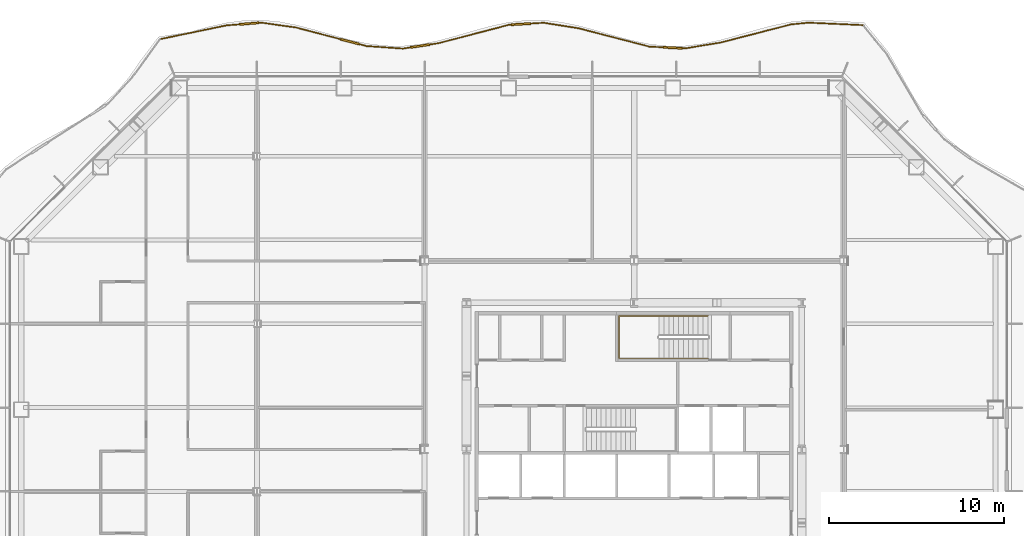
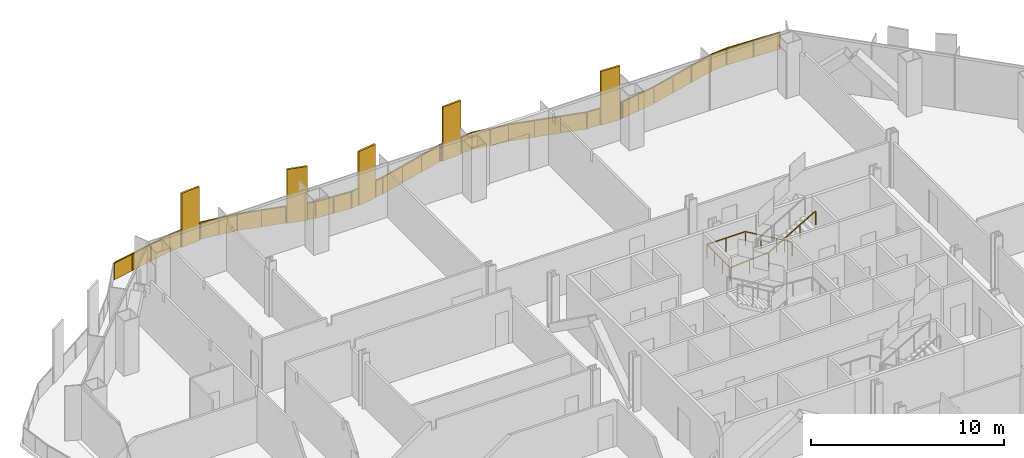
# One storey, part 16 of 17: 2 railings.
"""IFC4 building model written with IfcOpenShell, lengths in metres."""

from ifc_helpers import new_model, si_unit, direction, frame, origin, origin_2d, place, context, subcontext, project, spatial, polyline, rectangle, outline, extrude, material, type_object, element, save


model = new_model("IFC4")

# Units and contexts
model_context = context("Model", 3, precision=1e-05, world=origin(), true_north=direction((0.0, 1.0)))
body_context = subcontext(model_context, "Body", "Model", "MODEL_VIEW")
ifc_project = project(units=[si_unit("LENGTHUNIT", "METRE"), si_unit("AREAUNIT", "SQUARE_METRE"), si_unit("VOLUMEUNIT", "CUBIC_METRE"), si_unit("PLANEANGLEUNIT", "RADIAN"), si_unit("MASSUNIT", "GRAM", prefix="KILO")], contexts=[model_context])

# Site, building, storey
site_placement = place(None, origin())
site = spatial("IfcSite", under=ifc_project, at=site_placement, CompositionType="ELEMENT")
building_placement = place(site_placement, origin())
building = spatial("IfcBuilding", under=site, at=building_placement, Name="Cairn Pilgrim Tower", CompositionType="ELEMENT")
storey_placement = place(building_placement, frame((0.0, 0.0, 79.800048828125)))
storey = spatial("IfcBuildingStorey", under=building, at=storey_placement, Name="L18", CompositionType="ELEMENT", Elevation=79.800048828125)

# Railings
ifc_material_1 = material(Name="Bronze anodised aluminium rail, posts and fin screens with laminated glass infill", Category="aluminium")
railing_type_1 = type_object("IfcRailingType", Name="BALCONY GUARD WITH FIN SCREENS", PredefinedType="GUARDRAIL", material=ifc_material_1)
railing_1_placement = place(storey_placement, frame((20.306396484375, 26.70166015625, 0.0)))
element("IfcRailing", 1, at=railing_1_placement, inside=storey, type_object=railing_type_1, Name="Balcony guard BGF-5 with fin screens", PredefinedType="GUARDRAIL", context=body_context, shape_type="SweptSolid", body=[
    extrude(rectangle(XDim=0.050048828125, YDim=0.050048828125, at=origin_2d()), frame((0.0, 0.0, 1.0751953125), z_axis=(-0.998998429321, 0.044745259126, 0.0), x_axis=(-0.044745259126, -0.998998429321, 0.0)), (0.0, 0.0, 1.0), 3.12646484375),
    extrude(rectangle(XDim=0.050048828125, YDim=0.050048828125, at=origin_2d()), frame((-3.123291015625, 0.139892578125, 1.0751953125), z_axis=(-0.99513163978, -0.098554652396, 0.0), x_axis=(0.098554652396, -0.99513163978, 0.0)), (0.0, 0.0, 1.0), 0.993408203125),
    extrude(rectangle(XDim=0.050048828125, YDim=0.050048828125, at=origin_2d()), frame((-4.11181640625, 0.0419921875, 1.0751953125), z_axis=(-0.968441659028, -0.249240351988, 0.0), x_axis=(0.249240351988, -0.968441659028, 0.0)), (0.0, 0.0, 1.0), 4.1689453125),
    extrude(rectangle(XDim=0.050048828125, YDim=0.050048828125, at=origin_2d()), frame((-8.149169921875, -0.9970703125, 1.0751953125), z_axis=(-0.986622344068, -0.163022545023, 0.0), x_axis=(0.163022545023, -0.986622344068, 0.0)), (0.0, 0.0, 1.0), 2.071044921875),
    extrude(rectangle(XDim=1.10009765625, YDim=0.110107421875, at=origin_2d()), frame((-10.891845703125, -1.298828125, 0.0), z_axis=(0.0, 0.0, 1.0), x_axis=(-0.998682361191, 0.051318042112, 0.0)), (0.0, 0.0, 1.0), 3.39990234375),
    extrude(rectangle(XDim=0.050048828125, YDim=0.050048828125, at=origin_2d()), frame((-10.192626953125, -1.334716796875, 1.0751953125), z_axis=(-0.998682361191, 0.051318042112, 0.0), x_axis=(-0.051318042112, -0.998682361191, 0.0)), (0.0, 0.0, 1.0), 0.150146484375),
    extrude(rectangle(XDim=0.050048828125, YDim=0.050048828125, at=origin_2d()), frame((-11.44091796875, -1.2705078125, 1.0751953125), z_axis=(-0.998682361191, 0.051318042112, 0.0), x_axis=(-0.051318042112, -0.998682361191, 0.0)), (0.0, 0.0, 1.0), 0.80517578125),
    extrude(rectangle(XDim=0.050048828125, YDim=0.050048828125, at=origin_2d()), frame((-12.2451171875, -1.229248046875, 1.0751953125), z_axis=(-0.968005298452, 0.250929755446, 0.0), x_axis=(-0.250929755446, -0.968005298452, 0.0)), (0.0, 0.0, 1.0), 4.18359375),
    extrude(rectangle(XDim=0.050048828125, YDim=0.050048828125, at=origin_2d()), frame((-16.294921875, -0.179443359375, 1.0751953125), z_axis=(-0.987835298429, 0.155503772229, 0.0), x_axis=(-0.155503772229, -0.987835298429, 0.0)), (0.0, 0.0, 1.0), 2.022216796875),
    extrude(rectangle(XDim=1.10009765625, YDim=0.110107421875, at=origin_2d()), frame((-19.583984375, 0.056640625, 0.0), z_axis=(0.0, 0.0, 1.0), x_axis=(-0.998168944709, -0.060487666669, 0.0)), (0.0, 0.0, 1.0), 3.39990234375),
    extrude(rectangle(XDim=0.050048828125, YDim=0.050048828125, at=origin_2d()), frame((-18.29248046875, 0.135009765625, 1.0751953125), z_axis=(-0.998168944709, -0.060487666669, 0.0), x_axis=(0.060487666669, -0.998168944709, 0.0)), (0.0, 0.0, 1.0), 0.743896484375),
    extrude(rectangle(XDim=0.050048828125, YDim=0.050048828125, at=origin_2d()), frame((-20.133056640625, 0.0234375, 1.0751953125), z_axis=(-0.998168944709, -0.060487666669, 0.0), x_axis=(0.060487666669, -0.998168944709, 0.0)), (0.0, 0.0, 1.0), 0.14990234375),
    extrude(rectangle(XDim=0.050048828125, YDim=0.050048828125, at=origin_2d()), frame((-20.28271484375, 0.014404296875, 1.0751953125), z_axis=(-0.967605460468, -0.252467171869, 0.0), x_axis=(0.252467171869, -0.967605460468, 0.0)), (0.0, 0.0, 1.0), 4.170654296875),
    extrude(rectangle(XDim=1.10009765625, YDim=0.110107421875, at=origin_2d()), frame((-25.36865234375, -1.1953125, 0.0), z_axis=(0.0, 0.0, 1.0), x_axis=(-0.989032271674, -0.147699578831, 0.0)), (0.0, 0.0, 1.0), 3.39990234375),
    extrude(rectangle(XDim=0.050048828125, YDim=0.050048828125, at=origin_2d()), frame((-24.318359375, -1.03857421875, 1.0751953125), z_axis=(-0.989032271674, -0.147699578831, 0.0), x_axis=(0.147699578831, -0.989032271674, 0.0)), (0.0, 0.0, 1.0), 0.511962890625),
    extrude(rectangle(XDim=0.050048828125, YDim=0.050048828125, at=origin_2d()), frame((-25.91259765625, -1.276611328125, 1.0751953125), z_axis=(-0.989032271674, -0.147699578831, 0.0), x_axis=(0.147699578831, -0.989032271674, 0.0)), (0.0, 0.0, 1.0), 0.455810546875),
    extrude(rectangle(XDim=0.050048828125, YDim=0.050048828125, at=origin_2d()), frame((-26.363525390625, -1.343994140625, 1.0751953125), z_axis=(-0.997568963099, 0.069686181285, 0.0), x_axis=(-0.069686181285, -0.997568963099, 0.0)), (0.0, 0.0, 1.0), 2.056396484375),
    extrude(rectangle(XDim=1.10009765625, YDim=0.110107421875, at=origin_2d()), frame((-29.380859375, -0.947509765625, 0.0), z_axis=(0.0, 0.0, 1.0), x_axis=(-0.967298635866, 0.25364019605, 0.0)), (0.0, 0.0, 1.0), 3.39990234375),
    extrude(rectangle(XDim=0.050048828125, YDim=0.050048828125, at=origin_2d()), frame((-28.4150390625, -1.20068359375, 1.0751953125), z_axis=(-0.967298635866, 0.25364019605, 0.0), x_axis=(-0.25364019605, -0.967298635866, 0.0)), (0.0, 0.0, 1.0), 0.448486328125),
    extrude(rectangle(XDim=0.050048828125, YDim=0.050048828125, at=origin_2d()), frame((-29.912841796875, -0.807861328125, 1.0751953125), z_axis=(-0.967298635866, 0.25364019605, 0.0), x_axis=(-0.25364019605, -0.967298635866, 0.0)), (0.0, 0.0, 1.0), 2.6357421875),
    extrude(rectangle(XDim=0.050048828125, YDim=0.050048828125, at=origin_2d()), frame((-32.46240234375, -0.139404296875, 1.0751953125), z_axis=(-0.990185472396, 0.139759544416, 0.0), x_axis=(-0.139759544416, -0.990185472396, 0.0)), (0.0, 0.0, 1.0), 2.015869140625),
    extrude(rectangle(XDim=1.10009765625, YDim=0.110107421875, at=origin_2d()), frame((-35.15625, 0.087158203125, 0.0), z_axis=(0.0, 0.0, 1.0), x_axis=(-0.996890083621, -0.078804575871, 0.0)), (0.0, 0.0, 1.0), 3.39990234375),
    extrude(rectangle(XDim=0.050048828125, YDim=0.050048828125, at=origin_2d()), frame((-34.45849609375, 0.142333984375, 1.0751953125), z_axis=(-0.996890083621, -0.078804575871, 0.0), x_axis=(0.078804575871, -0.996890083621, 0.0)), (0.0, 0.0, 1.0), 0.14990234375),
    extrude(rectangle(XDim=0.050048828125, YDim=0.050048828125, at=origin_2d()), frame((-35.704345703125, 0.0439453125, 1.0751953125), z_axis=(-0.996890083621, -0.078804575871, 0.0), x_axis=(0.078804575871, -0.996890083621, 0.0)), (0.0, 0.0, 1.0), 0.75146484375),
    extrude(rectangle(XDim=0.050048828125, YDim=0.050048828125, at=origin_2d()), frame((-36.45361328125, -0.015380859375, 1.0751953125), z_axis=(-0.979139822764, -0.203187616448, 0.0), x_axis=(0.203187616448, -0.979139822764, 0.0)), (0.0, 0.0, 1.0), 3.828125),
    extrude(rectangle(XDim=0.050048828125, YDim=0.050048828125, at=origin_2d()), origin(), (0.0, 0.0, 1.0), 1.050048828125),
    extrude(rectangle(XDim=0.050048828125, YDim=0.050048828125, at=origin_2d()), frame((-1.5615234375, 0.06982421875, 0.0)), (0.0, 0.0, 1.0), 1.050048828125),
    extrude(rectangle(XDim=0.050048828125, YDim=0.050048828125, at=origin_2d()), frame((-3.123291015625, 0.139892578125, 0.0)), (0.0, 0.0, 1.0), 1.050048828125),
    extrude(rectangle(XDim=0.050048828125, YDim=0.050048828125, at=origin_2d()), frame((-4.11181640625, 0.0419921875, 0.0)), (0.0, 0.0, 1.0), 1.050048828125),
    extrude(rectangle(XDim=0.050048828125, YDim=0.050048828125, at=origin_2d()), frame((-5.45751953125, -0.304443359375, 0.0)), (0.0, 0.0, 1.0), 1.050048828125),
    extrude(rectangle(XDim=0.050048828125, YDim=0.050048828125, at=origin_2d()), frame((-6.803466796875, -0.650634765625, 0.0)), (0.0, 0.0, 1.0), 1.050048828125),
    extrude(rectangle(XDim=0.050048828125, YDim=0.050048828125, at=origin_2d()), frame((-8.149169921875, -0.9970703125, 0.0)), (0.0, 0.0, 1.0), 1.050048828125),
    extrude(rectangle(XDim=0.050048828125, YDim=0.050048828125, at=origin_2d()), frame((-9.1708984375, -1.166015625, 0.0)), (0.0, 0.0, 1.0), 1.050048828125),
    extrude(rectangle(XDim=0.050048828125, YDim=0.050048828125, at=origin_2d()), frame((-10.192626953125, -1.334716796875, 0.0)), (0.0, 0.0, 1.0), 1.050048828125),
    extrude(rectangle(XDim=0.050048828125, YDim=0.050048828125, at=origin_2d()), frame((-10.3173828125, -1.328369140625, 0.0)), (0.0, 0.0, 1.0), 1.050048828125),
    extrude(rectangle(XDim=0.050048828125, YDim=0.050048828125, at=origin_2d()), frame((-11.466064453125, -1.269287109375, 0.0)), (0.0, 0.0, 1.0), 1.050048828125),
    extrude(rectangle(XDim=0.050048828125, YDim=0.050048828125, at=origin_2d()), frame((-12.2451171875, -1.229248046875, 0.0)), (0.0, 0.0, 1.0), 1.050048828125),
    extrude(rectangle(XDim=0.050048828125, YDim=0.050048828125, at=origin_2d()), frame((-13.594970703125, -0.87939453125, 0.0)), (0.0, 0.0, 1.0), 1.050048828125),
    extrude(rectangle(XDim=0.050048828125, YDim=0.050048828125, at=origin_2d()), frame((-14.945068359375, -0.529296875, 0.0)), (0.0, 0.0, 1.0), 1.050048828125),
    extrude(rectangle(XDim=0.050048828125, YDim=0.050048828125, at=origin_2d()), frame((-16.294921875, -0.179443359375, 0.0)), (0.0, 0.0, 1.0), 1.050048828125),
    extrude(rectangle(XDim=0.050048828125, YDim=0.050048828125, at=origin_2d()), frame((-17.293701171875, -0.022216796875, 0.0)), (0.0, 0.0, 1.0), 1.050048828125),
    extrude(rectangle(XDim=0.050048828125, YDim=0.050048828125, at=origin_2d()), frame((-18.29248046875, 0.135009765625, 0.0)), (0.0, 0.0, 1.0), 1.050048828125),
    extrude(rectangle(XDim=0.050048828125, YDim=0.050048828125, at=origin_2d()), frame((-19.010009765625, 0.091552734375, 0.0)), (0.0, 0.0, 1.0), 1.050048828125),
    extrude(rectangle(XDim=0.050048828125, YDim=0.050048828125, at=origin_2d()), frame((-20.157958984375, 0.02197265625, 0.0)), (0.0, 0.0, 1.0), 1.050048828125),
    extrude(rectangle(XDim=0.050048828125, YDim=0.050048828125, at=origin_2d()), frame((-20.28271484375, 0.014404296875, 0.0)), (0.0, 0.0, 1.0), 1.050048828125),
    extrude(rectangle(XDim=0.050048828125, YDim=0.050048828125, at=origin_2d()), frame((-21.6279296875, -0.336669921875, 0.0)), (0.0, 0.0, 1.0), 1.050048828125),
    extrude(rectangle(XDim=0.050048828125, YDim=0.050048828125, at=origin_2d()), frame((-22.97314453125, -0.6875, 0.0)), (0.0, 0.0, 1.0), 1.050048828125),
    extrude(rectangle(XDim=0.050048828125, YDim=0.050048828125, at=origin_2d()), frame((-24.318359375, -1.03857421875, 0.0)), (0.0, 0.0, 1.0), 1.050048828125),
    extrude(rectangle(XDim=0.050048828125, YDim=0.050048828125, at=origin_2d()), frame((-24.800048828125, -1.110595703125, 0.0)), (0.0, 0.0, 1.0), 1.050048828125),
    extrude(rectangle(XDim=0.050048828125, YDim=0.050048828125, at=origin_2d()), frame((-25.9375, -1.2802734375, 0.0)), (0.0, 0.0, 1.0), 1.050048828125),
    extrude(rectangle(XDim=0.050048828125, YDim=0.050048828125, at=origin_2d()), frame((-26.363525390625, -1.343994140625, 0.0)), (0.0, 0.0, 1.0), 1.050048828125),
    extrude(rectangle(XDim=0.050048828125, YDim=0.050048828125, at=origin_2d()), frame((-27.38916015625, -1.2724609375, 0.0)), (0.0, 0.0, 1.0), 1.050048828125),
    extrude(rectangle(XDim=0.050048828125, YDim=0.050048828125, at=origin_2d()), frame((-28.4150390625, -1.20068359375, 0.0)), (0.0, 0.0, 1.0), 1.050048828125),
    extrude(rectangle(XDim=0.050048828125, YDim=0.050048828125, at=origin_2d()), frame((-28.82470703125, -1.09326171875, 0.0)), (0.0, 0.0, 1.0), 1.050048828125),
    extrude(rectangle(XDim=0.050048828125, YDim=0.050048828125, at=origin_2d()), frame((-29.93701171875, -0.801513671875, 0.0)), (0.0, 0.0, 1.0), 1.050048828125),
    extrude(rectangle(XDim=0.050048828125, YDim=0.050048828125, at=origin_2d()), frame((-31.19970703125, -0.470458984375, 0.0)), (0.0, 0.0, 1.0), 1.050048828125),
    extrude(rectangle(XDim=0.050048828125, YDim=0.050048828125, at=origin_2d()), frame((-32.46240234375, -0.139404296875, 0.0)), (0.0, 0.0, 1.0), 1.050048828125),
    extrude(rectangle(XDim=0.050048828125, YDim=0.050048828125, at=origin_2d()), frame((-33.46044921875, 0.00146484375, 0.0)), (0.0, 0.0, 1.0), 1.050048828125),
    extrude(rectangle(XDim=0.050048828125, YDim=0.050048828125, at=origin_2d()), frame((-34.45849609375, 0.142333984375, 0.0)), (0.0, 0.0, 1.0), 1.050048828125),
    extrude(rectangle(XDim=0.050048828125, YDim=0.050048828125, at=origin_2d()), frame((-34.5830078125, 0.132568359375, 0.0)), (0.0, 0.0, 1.0), 1.050048828125),
    extrude(rectangle(XDim=0.050048828125, YDim=0.050048828125, at=origin_2d()), frame((-35.7294921875, 0.041748046875, 0.0)), (0.0, 0.0, 1.0), 1.050048828125),
    extrude(rectangle(XDim=0.050048828125, YDim=0.050048828125, at=origin_2d()), frame((-36.45361328125, -0.015380859375, 0.0)), (0.0, 0.0, 1.0), 1.050048828125),
    extrude(rectangle(XDim=0.050048828125, YDim=0.050048828125, at=origin_2d()), frame((-37.703125, -0.274658203125, 0.0)), (0.0, 0.0, 1.0), 1.050048828125),
    extrude(rectangle(XDim=0.050048828125, YDim=0.050048828125, at=origin_2d()), frame((-38.952392578125, -0.533935546875, 0.0)), (0.0, 0.0, 1.0), 1.050048828125),
    extrude(rectangle(XDim=0.050048828125, YDim=0.050048828125, at=origin_2d()), frame((-40.201904296875, -0.793212890625, 0.0)), (0.0, 0.0, 1.0), 1.050048828125),
    extrude(outline(polyline([(0.02490234375, 0.0), (1.5380859375, 0.0), (1.5380859375, 1.050048828125), (0.02490234375, 1.050048828125), (0.02490234375, 0.0)])), frame((-0.000244140625, -0.005859375, 0.0), z_axis=(0.044745259126, 0.998998429321, 0.0), x_axis=(-0.998998429321, 0.044745259126, 0.0)), (0.0, 0.0, 1.0), 0.011962890625),
    extrude(outline(polyline([(0.02490234375, 0.0), (1.5380859375, 0.0), (1.5380859375, 1.050048828125), (0.02490234375, 1.050048828125), (0.02490234375, 0.0)])), frame((-1.56201171875, 0.06396484375, 0.0), z_axis=(0.044745259126, 0.998998429321, 0.0), x_axis=(-0.998998429321, 0.044745259126, 0.0)), (0.0, 0.0, 1.0), 0.011962890625),
    extrude(outline(polyline([(0.02490234375, 0.0), (0.96826171875, 0.0), (0.96826171875, 1.050048828125), (0.02490234375, 1.050048828125), (0.02490234375, 0.0)])), frame((-3.122802734375, 0.134033203125, 0.0), z_axis=(-0.098554652396, 0.99513163978, 0.0), x_axis=(-0.99513163978, -0.098554652396, 0.0)), (0.0, 0.0, 1.0), 0.011962890625),
    extrude(outline(polyline([(0.02490234375, 0.0), (1.364501953125, 0.0), (1.364501953125, 1.050048828125), (0.02490234375, 1.050048828125), (0.02490234375, 0.0)])), frame((-4.1103515625, 0.0361328125, 0.0), z_axis=(-0.249240351988, 0.968441659028, 0.0), x_axis=(-0.968441659028, -0.249240351988, 0.0)), (0.0, 0.0, 1.0), 0.011962890625),
    extrude(outline(polyline([(0.02490234375, 0.0), (1.364501953125, 0.0), (1.364501953125, 1.050048828125), (0.02490234375, 1.050048828125), (0.02490234375, 0.0)])), frame((-5.4560546875, -0.31005859375, 0.0), z_axis=(-0.249240351988, 0.968441659028, 0.0), x_axis=(-0.968441659028, -0.249240351988, 0.0)), (0.0, 0.0, 1.0), 0.011962890625),
    extrude(outline(polyline([(0.02490234375, 0.0), (1.364501953125, 0.0), (1.364501953125, 1.050048828125), (0.02490234375, 1.050048828125), (0.02490234375, 0.0)])), frame((-6.802001953125, -0.656494140625, 0.0), z_axis=(-0.249240351988, 0.968441659028, 0.0), x_axis=(-0.968441659028, -0.249240351988, 0.0)), (0.0, 0.0, 1.0), 0.011962890625),
    extrude(outline(polyline([(0.02490234375, 0.0), (1.010498046875, 0.0), (1.010498046875, 1.050048828125), (0.02490234375, 1.050048828125), (0.02490234375, 0.0)])), frame((-8.148193359375, -1.0029296875, 0.0), z_axis=(-0.163022545023, 0.986622344068, 0.0), x_axis=(-0.986622344068, -0.163022545023, 0.0)), (0.0, 0.0, 1.0), 0.011962890625),
    extrude(outline(polyline([(0.02490234375, 0.0), (1.010498046875, 0.0), (1.010498046875, 1.050048828125), (0.02490234375, 1.050048828125), (0.02490234375, 0.0)])), frame((-9.169921875, -1.171875, 0.0), z_axis=(-0.163022545023, 0.986622344068, 0.0), x_axis=(-0.986622344068, -0.163022545023, 0.0)), (0.0, 0.0, 1.0), 0.011962890625),
    extrude(outline(polyline([(0.02490234375, 0.0), (0.10009765625, 0.0), (0.10009765625, 1.050048828125), (0.02490234375, 1.050048828125), (0.02490234375, 0.0)])), frame((-10.19287109375, -1.340576171875, 0.0), z_axis=(0.051318042112, 0.998682361191, 0.0), x_axis=(-0.998682361191, 0.051318042112, 0.0)), (0.0, 0.0, 1.0), 0.011962890625),
    extrude(outline(polyline([(0.02490234375, 0.0), (0.755126953125, 0.0), (0.755126953125, 1.050048828125), (0.02490234375, 1.050048828125), (0.02490234375, 0.0)])), frame((-11.46630859375, -1.275146484375, 0.0), z_axis=(0.051318042112, 0.998682361191, 0.0), x_axis=(-0.998682361191, 0.051318042112, 0.0)), (0.0, 0.0, 1.0), 0.011962890625),
    extrude(outline(polyline([(0.02490234375, 0.0), (1.36962890625, 0.0), (1.36962890625, 1.050048828125), (0.02490234375, 1.050048828125), (0.02490234375, 0.0)])), frame((-12.24658203125, -1.235107421875, 0.0), z_axis=(0.250929755446, 0.968005298452, 0.0), x_axis=(-0.968005298452, 0.250929755446, 0.0)), (0.0, 0.0, 1.0), 0.011962890625),
    extrude(outline(polyline([(0.02490234375, 0.0), (1.36962890625, 0.0), (1.36962890625, 1.050048828125), (0.02490234375, 1.050048828125), (0.02490234375, 0.0)])), frame((-13.596435546875, -0.885009765625, 0.0), z_axis=(0.250929755446, 0.968005298452, 0.0), x_axis=(-0.968005298452, 0.250929755446, 0.0)), (0.0, 0.0, 1.0), 0.011962890625),
    extrude(outline(polyline([(0.02490234375, 0.0), (1.36962890625, 0.0), (1.36962890625, 1.050048828125), (0.02490234375, 1.050048828125), (0.02490234375, 0.0)])), frame((-14.946533203125, -0.53515625, 0.0), z_axis=(0.250929755446, 0.968005298452, 0.0), x_axis=(-0.968005298452, 0.250929755446, 0.0)), (0.0, 0.0, 1.0), 0.011962890625),
    extrude(outline(polyline([(0.02490234375, 0.0), (0.986083984375, 0.0), (0.986083984375, 1.050048828125), (0.02490234375, 1.050048828125), (0.02490234375, 0.0)])), frame((-16.2958984375, -0.185302734375, 0.0), z_axis=(0.155503772229, 0.987835298429, 0.0), x_axis=(-0.987835298429, 0.155503772229, 0.0)), (0.0, 0.0, 1.0), 0.011962890625),
    extrude(outline(polyline([(0.02490234375, 0.0), (0.986083984375, 0.0), (0.986083984375, 1.050048828125), (0.02490234375, 1.050048828125), (0.02490234375, 0.0)])), frame((-17.294677734375, -0.028076171875, 0.0), z_axis=(0.155503772229, 0.987835298429, 0.0), x_axis=(-0.987835298429, 0.155503772229, 0.0)), (0.0, 0.0, 1.0), 0.011962890625),
    extrude(outline(polyline([(0.02490234375, 0.0), (0.69384765625, 0.0), (0.69384765625, 1.050048828125), (0.02490234375, 1.050048828125), (0.02490234375, 0.0)])), frame((-18.292236328125, 0.129150390625, 0.0), z_axis=(-0.060487666669, 0.998168944709, 0.0), x_axis=(-0.998168944709, -0.060487666669, 0.0)), (0.0, 0.0, 1.0), 0.011962890625),
    extrude(outline(polyline([(0.02490234375, 0.0), (0.099853515625, 0.0), (0.099853515625, 1.050048828125), (0.02490234375, 1.050048828125), (0.02490234375, 0.0)])), frame((-20.15771484375, 0.01611328125, 0.0), z_axis=(-0.060487666669, 0.998168944709, 0.0), x_axis=(-0.998168944709, -0.060487666669, 0.0)), (0.0, 0.0, 1.0), 0.011962890625),
    extrude(outline(polyline([(0.02490234375, 0.0), (1.365234375, 0.0), (1.365234375, 1.050048828125), (0.02490234375, 1.050048828125), (0.02490234375, 0.0)])), frame((-20.28125, 0.008544921875, 0.0), z_axis=(-0.252467171869, 0.967605460468, 0.0), x_axis=(-0.967605460468, -0.252467171869, 0.0)), (0.0, 0.0, 1.0), 0.011962890625),
    extrude(outline(polyline([(0.02490234375, 0.0), (1.365234375, 0.0), (1.365234375, 1.050048828125), (0.02490234375, 1.050048828125), (0.02490234375, 0.0)])), frame((-21.62646484375, -0.34228515625, 0.0), z_axis=(-0.252467171869, 0.967605460468, 0.0), x_axis=(-0.967605460468, -0.252467171869, 0.0)), (0.0, 0.0, 1.0), 0.011962890625),
    extrude(outline(polyline([(0.02490234375, 0.0), (1.365234375, 0.0), (1.365234375, 1.050048828125), (0.02490234375, 1.050048828125), (0.02490234375, 0.0)])), frame((-22.9716796875, -0.693359375, 0.0), z_axis=(-0.252467171869, 0.967605460468, 0.0), x_axis=(-0.967605460468, -0.252467171869, 0.0)), (0.0, 0.0, 1.0), 0.011962890625),
    extrude(outline(polyline([(0.02490234375, 0.0), (0.4619140625, 0.0), (0.4619140625, 1.050048828125), (0.02490234375, 1.050048828125), (0.02490234375, 0.0)])), frame((-24.3173828125, -1.04443359375, 0.0), z_axis=(-0.147699578831, 0.989032271674, 0.0), x_axis=(-0.989032271674, -0.147699578831, 0.0)), (0.0, 0.0, 1.0), 0.011962890625),
    extrude(outline(polyline([(0.02490234375, 0.0), (0.40576171875, 0.0), (0.40576171875, 1.050048828125), (0.02490234375, 1.050048828125), (0.02490234375, 0.0)])), frame((-25.9365234375, -1.286376953125, 0.0), z_axis=(-0.147699578831, 0.989032271674, 0.0), x_axis=(-0.989032271674, -0.147699578831, 0.0)), (0.0, 0.0, 1.0), 0.011962890625),
    extrude(outline(polyline([(0.02490234375, 0.0), (1.003173828125, 0.0), (1.003173828125, 1.050048828125), (0.02490234375, 1.050048828125), (0.02490234375, 0.0)])), frame((-26.364013671875, -1.349853515625, 0.0), z_axis=(0.069686181285, 0.997568963099, 0.0), x_axis=(-0.997568963099, 0.069686181285, 0.0)), (0.0, 0.0, 1.0), 0.011962890625),
    extrude(outline(polyline([(0.02490234375, 0.0), (1.003173828125, 0.0), (1.003173828125, 1.050048828125), (0.02490234375, 1.050048828125), (0.02490234375, 0.0)])), frame((-27.3896484375, -1.2783203125, 0.0), z_axis=(0.069686181285, 0.997568963099, 0.0), x_axis=(-0.997568963099, 0.069686181285, 0.0)), (0.0, 0.0, 1.0), 0.011962890625),
    extrude(outline(polyline([(0.02490234375, 0.0), (0.3984375, 0.0), (0.3984375, 1.050048828125), (0.02490234375, 1.050048828125), (0.02490234375, 0.0)])), frame((-28.41650390625, -1.20654296875, 0.0), z_axis=(0.25364019605, 0.967298635866, 0.0), x_axis=(-0.967298635866, 0.25364019605, 0.0)), (0.0, 0.0, 1.0), 0.011962890625),
    extrude(outline(polyline([(0.02490234375, 0.0), (1.2802734375, 0.0), (1.2802734375, 1.050048828125), (0.02490234375, 1.050048828125), (0.02490234375, 0.0)])), frame((-29.938720703125, -0.807373046875, 0.0), z_axis=(0.25364019605, 0.967298635866, 0.0), x_axis=(-0.967298635866, 0.25364019605, 0.0)), (0.0, 0.0, 1.0), 0.011962890625),
    extrude(outline(polyline([(0.02490234375, 0.0), (1.2802734375, 0.0), (1.2802734375, 1.050048828125), (0.02490234375, 1.050048828125), (0.02490234375, 0.0)])), frame((-31.201171875, -0.476318359375, 0.0), z_axis=(0.25364019605, 0.967298635866, 0.0), x_axis=(-0.967298635866, 0.25364019605, 0.0)), (0.0, 0.0, 1.0), 0.011962890625),
    extrude(outline(polyline([(0.02490234375, 0.0), (0.98291015625, 0.0), (0.98291015625, 1.050048828125), (0.02490234375, 1.050048828125), (0.02490234375, 0.0)])), frame((-32.463134765625, -0.145263671875, 0.0), z_axis=(0.139759544416, 0.990185472396, 0.0), x_axis=(-0.990185472396, 0.139759544416, 0.0)), (0.0, 0.0, 1.0), 0.011962890625),
    extrude(outline(polyline([(0.02490234375, 0.0), (0.98291015625, 0.0), (0.98291015625, 1.050048828125), (0.02490234375, 1.050048828125), (0.02490234375, 0.0)])), frame((-33.461181640625, -0.00439453125, 0.0), z_axis=(0.139759544416, 0.990185472396, 0.0), x_axis=(-0.990185472396, 0.139759544416, 0.0)), (0.0, 0.0, 1.0), 0.011962890625),
    extrude(outline(polyline([(0.02490234375, 0.0), (0.099853515625, 0.0), (0.099853515625, 1.050048828125), (0.02490234375, 1.050048828125), (0.02490234375, 0.0)])), frame((-34.4580078125, 0.136474609375, 0.0), z_axis=(-0.078804575871, 0.996890083621, 0.0), x_axis=(-0.996890083621, -0.078804575871, 0.0)), (0.0, 0.0, 1.0), 0.011962890625),
    extrude(outline(polyline([(0.02490234375, 0.0), (0.701416015625, 0.0), (0.701416015625, 1.050048828125), (0.02490234375, 1.050048828125), (0.02490234375, 0.0)])), frame((-35.72900390625, 0.035888671875, 0.0), z_axis=(-0.078804575871, 0.996890083621, 0.0), x_axis=(-0.996890083621, -0.078804575871, 0.0)), (0.0, 0.0, 1.0), 0.011962890625),
    extrude(outline(polyline([(0.02490234375, 0.0), (1.2509765625, 0.0), (1.2509765625, 1.050048828125), (0.02490234375, 1.050048828125), (0.02490234375, 0.0)])), frame((-36.452392578125, -0.021240234375, 0.0), z_axis=(-0.203187616448, 0.979139822764, 0.0), x_axis=(-0.979139822764, -0.203187616448, 0.0)), (0.0, 0.0, 1.0), 0.011962890625),
    extrude(outline(polyline([(0.02490234375, 0.0), (1.2509765625, 0.0), (1.2509765625, 1.050048828125), (0.02490234375, 1.050048828125), (0.02490234375, 0.0)])), frame((-37.701904296875, -0.280517578125, 0.0), z_axis=(-0.203187616448, 0.979139822764, 0.0), x_axis=(-0.979139822764, -0.203187616448, 0.0)), (0.0, 0.0, 1.0), 0.011962890625),
    extrude(outline(polyline([(0.02490234375, 0.0), (1.2509765625, 0.0), (1.2509765625, 1.050048828125), (0.02490234375, 1.050048828125), (0.02490234375, 0.0)])), frame((-38.951171875, -0.539794921875, 0.0), z_axis=(-0.203187616448, 0.979139822764, 0.0), x_axis=(-0.979139822764, -0.203187616448, 0.0)), (0.0, 0.0, 1.0), 0.011962890625),
])
ifc_material_2 = material(Name="Painted steel", Category="steel")
railing_type_2 = type_object("IfcRailingType", Name="STAIR HANDRAIL 900", PredefinedType="HANDRAIL", material=ifc_material_2)
railing_2_placement = place(storey_placement, frame((11.425048828125, 10.050048828125, 0.16357421875)))
element("IfcRailing", 2, at=railing_2_placement, inside=storey, type_object=railing_type_2, Name="L18 ST-C stair handrail 1", PredefinedType="HANDRAIL", context=body_context, shape_type="SweptSolid", body=[
    extrude(rectangle(XDim=0.048095703125, YDim=0.048095703125, at=origin_2d()), frame((0.0, 0.0, 0.8759765625), z_axis=(-0.863360870873, 0.0, 0.504586966384), x_axis=(0.0, -1.0, 0.0)), (0.0, 0.0, 1.0), 3.2431640625),
    extrude(rectangle(XDim=0.048095703125, YDim=0.048095703125, at=origin_2d()), frame((-2.800048828125, 0.0, 2.51220703125), z_axis=(-1.0, 0.0, 0.0), x_axis=(0.0, -1.0, 0.0)), (0.0, 0.0, 1.0), 2.300048828125),
    extrude(rectangle(XDim=0.048095703125, YDim=0.048095703125, at=origin_2d()), frame((-5.10009765625, 0.0, 2.51220703125), z_axis=(0.0, -1.0, 0.0), x_axis=(1.0, 0.0, 0.0)), (0.0, 0.0, 1.0), 2.425048828125),
    extrude(rectangle(XDim=0.048095703125, YDim=0.048095703125, at=origin_2d()), frame((-5.10009765625, -2.425048828125, 2.51220703125), z_axis=(0.997480687736, 0.0, 0.070938548008), x_axis=(0.0, 1.0, 0.0)), (0.0, 0.0, 1.0), 2.305908203125),
    extrude(rectangle(XDim=0.048095703125, YDim=0.048095703125, at=origin_2d()), frame((-2.800048828125, -2.425048828125, 2.67578125), z_axis=(0.863393664356, 0.0, 0.504530851732), x_axis=(0.0, 1.0, 0.0)), (0.0, 0.0, 1.0), 3.2431640625),
    extrude(rectangle(XDim=0.0419921875, YDim=0.0419921875, at=origin_2d()), origin(), (0.0, 0.0, 1.0), 0.851806640625),
    extrude(rectangle(XDim=0.0419921875, YDim=0.0419921875, at=origin_2d()), frame((-0.933349609375, 0.0, 0.54541015625)), (0.0, 0.0, 1.0), 0.851806640625),
    extrude(rectangle(XDim=0.0419921875, YDim=0.0419921875, at=origin_2d()), frame((-1.86669921875, 0.0, 1.091064453125)), (0.0, 0.0, 1.0), 0.851806640625),
    extrude(rectangle(XDim=0.0419921875, YDim=0.0419921875, at=origin_2d()), frame((-2.800048828125, 0.0, 1.636474609375)), (0.0, 0.0, 1.0), 0.851806640625),
    extrude(rectangle(XDim=0.0419921875, YDim=0.0419921875, at=origin_2d()), frame((-3.9501953125, 0.0, 1.636474609375)), (0.0, 0.0, 1.0), 0.851806640625),
    extrude(rectangle(XDim=0.0419921875, YDim=0.0419921875, at=origin_2d()), frame((-5.10009765625, 0.0, 1.636474609375)), (0.0, 0.0, 1.0), 0.851806640625),
    extrude(rectangle(XDim=0.0419921875, YDim=0.0419921875, at=origin_2d()), frame((-5.10009765625, -0.808349609375, 1.636474609375)), (0.0, 0.0, 1.0), 0.851806640625),
    extrude(rectangle(XDim=0.0419921875, YDim=0.0419921875, at=origin_2d()), frame((-5.10009765625, -1.61669921875, 1.636474609375)), (0.0, 0.0, 1.0), 0.851806640625),
    extrude(rectangle(XDim=0.0419921875, YDim=0.0419921875, at=origin_2d()), frame((-5.10009765625, -2.425048828125, 1.636474609375)), (0.0, 0.0, 1.0), 0.851806640625),
    extrude(rectangle(XDim=0.0419921875, YDim=0.0419921875, at=origin_2d()), frame((-3.9501953125, -2.425048828125, 1.71826171875)), (0.0, 0.0, 1.0), 0.851806640625),
    extrude(rectangle(XDim=0.0419921875, YDim=0.0419921875, at=origin_2d()), frame((-2.800048828125, -2.425048828125, 1.800048828125)), (0.0, 0.0, 1.0), 0.851806640625),
    extrude(rectangle(XDim=0.0419921875, YDim=0.0419921875, at=origin_2d()), frame((-1.86669921875, -2.425048828125, 2.345458984375)), (0.0, 0.0, 1.0), 0.851806640625),
    extrude(rectangle(XDim=0.0419921875, YDim=0.0419921875, at=origin_2d()), frame((-0.933349609375, -2.425048828125, 2.890869140625)), (0.0, 0.0, 1.0), 0.851806640625),
    extrude(rectangle(XDim=0.0419921875, YDim=0.0419921875, at=origin_2d()), frame((0.0, -2.425048828125, 3.436279296875)), (0.0, 0.0, 1.0), 0.851806640625),
])

save(model, "model.ifc")
